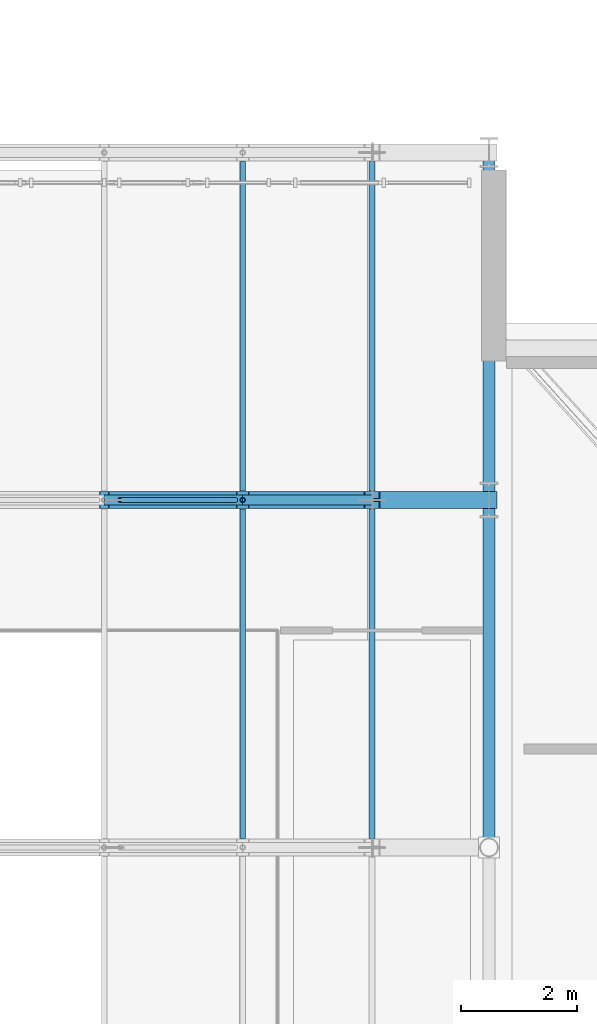
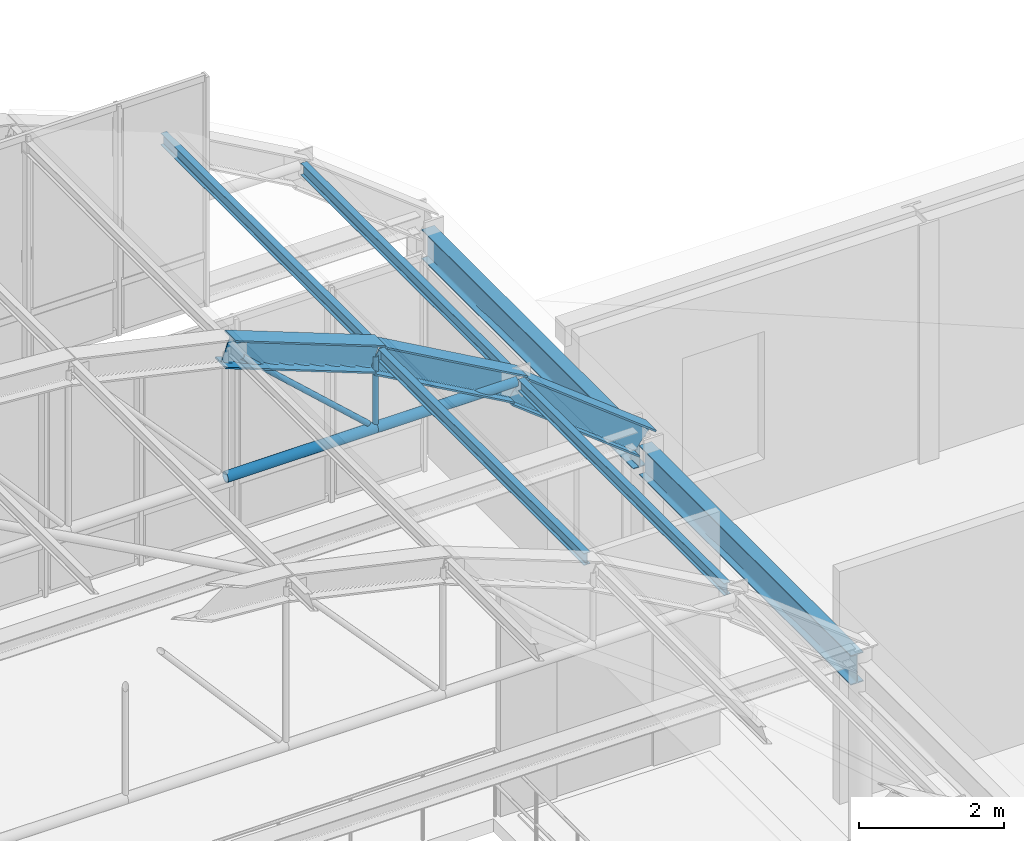
# One storey, part 82 of 148: 9 beams, 4 members.
"""IFC4 building model written with IfcOpenShell, lengths in metres."""

from ifc_helpers import new_model, si_unit, direction, frame, origin, origin_2d, place, context, subcontext, project, spatial, hollow_circle, i_section, extrude, material, material_profile, profile_set, type_object, element, save


model = new_model("IFC4")

# Units and contexts
model_context = context("Model", 3, precision=1e-05, world=origin(), true_north=direction((0.0, 1.0)))
body_context = subcontext(model_context, "Body", "Model", "MODEL_VIEW")
ifc_project = project(units=[si_unit("LENGTHUNIT", "METRE"), si_unit("AREAUNIT", "SQUARE_METRE"), si_unit("VOLUMEUNIT", "CUBIC_METRE"), si_unit("PLANEANGLEUNIT", "RADIAN"), si_unit("MASSUNIT", "GRAM", prefix="KILO"), si_unit("THERMODYNAMICTEMPERATUREUNIT", "KELVIN"), si_unit("POWERUNIT", "WATT")], contexts=[model_context])

# Site, building, storey
site_placement = place(None, origin())
site = spatial("IfcSite", under=ifc_project, at=site_placement, CompositionType="ELEMENT")
building_placement = place(site_placement, origin())
building = spatial("IfcBuilding", under=site, at=building_placement, Name="Solvatero Civic Police Headquarters", CompositionType="ELEMENT")
storey_placement = place(building_placement, frame((0.0, 0.0, 5.10009765625)))
storey = spatial("IfcBuildingStorey", under=building, at=storey_placement, Name="L01", CompositionType="ELEMENT", Elevation=5.10009765625)

# Beams
ifc_material = material(Name="Steel S355", Category="steel")
ifc_material_profile_1 = material_profile(ifc_material, i_section(OverallWidth=0.300048828125, OverallDepth=0.449951171875, WebThickness=0.013916015625, FlangeThickness=0.02587890625, FilletRadius=0.027099609375, at=origin_2d()), Name="HEB 450")
ifc_profile_set_1 = profile_set([ifc_material_profile_1], Name="Steel S355")
beam_type_1 = type_object("IfcBeamType", Name="BM-ST-HEB450", PredefinedType="BEAM", material=ifc_profile_set_1)
for number, where, z_axis, x_axis, name in (
    (1, (115.55517578125, 40.800048828125, 7.53955078125), (0.933355429458, 0.0, -0.358953537802), (0.0, 1.0, 0.0), "VLT1 Tied-Arch Vault Top Chord F7.8"),
    (2, (117.946533203125, 40.800048828125, 6.590087890625), (0.870765086908, 0.0, -0.491699261156), (0.0, 1.0, 0.0), "VLT1 Tied-Arch Vault Top Chord F7.9"),
    (3, (120.177490234375, 40.800048828125, 5.284912109375), (0.789403525995, 0.0, -0.613874639602), (0.0, 1.0, 0.0), "VLT1 Tied-Arch Vault Top Chord F7.10"),
):
    element("IfcBeam", number, at=place(storey_placement, frame(where, z_axis=z_axis, x_axis=x_axis)), inside=storey, type_object=beam_type_1, Name=name, PredefinedType="BEAM", context=body_context, shape_type="SweptSolid", body=[
        extrude(i_section(OverallWidth=0.300048828125, OverallDepth=0.449951171875, WebThickness=0.013916015625, FlangeThickness=0.02587890625, FilletRadius=0.027099609375, at=origin_2d()), origin(), (0.0, 0.0, 1.0), 2.56201171875),
    ])
ifc_material_profile_2 = material_profile(ifc_material, i_section(OverallWidth=0.10009765625, OverallDepth=0.199951171875, WebThickness=0.005615234375, FlangeThickness=0.008544921875, FilletRadius=0.011962890625, at=origin_2d()), Name="IPE 200")
ifc_profile_set_2 = profile_set([ifc_material_profile_2], Name="Steel S355")
beam_type_2 = type_object("IfcBeamType", Name="BM-ST-IPE200", PredefinedType="JOIST", material=ifc_profile_set_2)
for number, where, z_axis, x_axis, name in (
    (4, (117.946533203125, 34.9580078125, 6.721435546875), (0.0, 1.0, 0.0), (-1.0, 0.0, 0.0), "VLT1 Vault Roof Purlin B6.8"),
    (5, (120.177490234375, 34.9580078125, 5.4326171875), (0.0, 1.0, 0.0), (-1.0, 0.0, 0.0), "VLT1 Vault Roof Purlin B6.9"),
    (6, (117.946533203125, 40.9580078125, 6.721435546875), (0.0, 1.0, 0.0), (-1.0, 0.0, 0.0), "VLT1 Vault Roof Purlin B7.8"),
    (7, (120.177490234375, 40.9580078125, 5.4326171875), (0.0, 1.0, 0.0), (-1.0, 0.0, 0.0), "VLT1 Vault Roof Purlin B7.9"),
):
    element("IfcBeam", number, at=place(storey_placement, frame(where, z_axis=z_axis, x_axis=x_axis)), inside=storey, type_object=beam_type_2, Name=name, PredefinedType="JOIST", context=body_context, shape_type="SweptSolid", body=[
        extrude(i_section(OverallWidth=0.10009765625, OverallDepth=0.199951171875, WebThickness=0.005615234375, FlangeThickness=0.008544921875, FilletRadius=0.011962890625, at=origin_2d()), origin(), (0.0, 0.0, 1.0), 5.68408203125),
    ])
ifc_material_profile_3 = material_profile(ifc_material, i_section(OverallWidth=0.199951171875, OverallDepth=0.5, WebThickness=0.01025390625, FlangeThickness=0.01611328125, FilletRadius=0.02099609375, at=origin_2d()), Name="IPE 500")
ifc_profile_set_3 = profile_set([ifc_material_profile_3], Name="Steel S355")
beam_type_3 = type_object("IfcBeamType", Name="BM-ST-IPE500", PredefinedType="BEAM", material=ifc_profile_set_3)
for number, where, z_axis, x_axis, name in (
    (8, (122.199951171875, 34.8798828125, 3.429931640625), (0.0, 1.0, 0.0), (-1.0, 0.0, 0.0), "Primary girder BM-R2-VLT1-SPR-E-B6"),
    (9, (122.199951171875, 40.8798828125, 3.429931640625), (0.0, 1.0, 0.0), (-1.0, 0.0, 0.0), "Primary girder BM-R2-VLT1-SPR-E-B7"),
):
    element("IfcBeam", number, at=place(storey_placement, frame(where, z_axis=z_axis, x_axis=x_axis)), inside=storey, type_object=beam_type_3, Name=name, PredefinedType="BEAM", context=body_context, shape_type="SweptSolid", body=[
        extrude(i_section(OverallWidth=0.199951171875, OverallDepth=0.5, WebThickness=0.01025390625, FlangeThickness=0.01611328125, FilletRadius=0.02099609375, at=origin_2d()), origin(), (0.0, 0.0, 1.0), 5.840087890625),
    ])

# Members
ifc_material_profile_4 = material_profile(ifc_material, hollow_circle(Radius=0.04443359375, WallThickness=0.00634765625, at=origin_2d()), Name="CHS 88.9x6.3")
ifc_profile_set_4 = profile_set([ifc_material_profile_4], Name="Steel S355")
member_type_1 = type_object("IfcMemberType", Name="MB-HNG-CHS89", PredefinedType="STRUT", material=ifc_profile_set_4)
member_1_placement = place(storey_placement, frame((117.828125, 40.800048828125, 5.49951171875), z_axis=(-0.739076960519, 0.0, 0.673620996132), x_axis=(0.0, -1.0, 0.0)))
element("IfcMember", 10, at=member_1_placement, inside=storey, type_object=member_type_1, Name="VLT1 Vault Truss Diagonal Web F7.7", PredefinedType="STRUT", context=body_context, shape_type="SweptSolid", body=[
    extrude(hollow_circle(Radius=0.04443359375, WallThickness=0.00634765625, at=origin_2d()), origin(), (0.0, 0.0, 1.0), 2.71533203125),
])
member_2_placement = place(storey_placement, frame((117.946533203125, 40.800048828125, 5.431640625), z_axis=(0.0, 0.0, 1.0), x_axis=(1.0, 0.0, 0.0)))
element("IfcMember", 11, at=member_2_placement, inside=storey, type_object=member_type_1, Name="VLT1 Vault Vertical Hanger F7.8", PredefinedType="STRUT", context=body_context, shape_type="SweptSolid", body=[
    extrude(hollow_circle(Radius=0.04443359375, WallThickness=0.00634765625, at=origin_2d()), origin(), (0.0, 0.0, 1.0), 1.169677734375),
])
ifc_material_profile_5 = material_profile(ifc_material, hollow_circle(Radius=0.084228515625, WallThickness=0.010009765625, at=origin_2d()), Name="CHS 168.3x10.0")
ifc_profile_set_5 = profile_set([ifc_material_profile_5], Name="Steel S355")
member_type_2 = type_object("IfcMemberType", Name="MB-TIE-CHS168", PredefinedType="CHORD", material=ifc_profile_set_5)
member_3_placement = place(storey_placement, frame((115.55517578125, 40.800048828125, 5.3916015625), z_axis=(1.0, 0.0, 0.0), x_axis=(0.0, 1.0, 0.0)))
element("IfcMember", 12, at=member_3_placement, inside=storey, type_object=member_type_2, Name="VLT1 Vault Horizontal Tie Chord F7.7", PredefinedType="CHORD", context=body_context, shape_type="SweptSolid", body=[
    extrude(hollow_circle(Radius=0.084228515625, WallThickness=0.010009765625, at=origin_2d()), origin(), (0.0, 0.0, 1.0), 2.391357421875),
])
member_4_placement = place(storey_placement, frame((117.946533203125, 40.800048828125, 5.3916015625), z_axis=(1.0, 0.0, 0.0), x_axis=(0.0, 1.0, 0.0)))
element("IfcMember", 13, at=member_4_placement, inside=storey, type_object=member_type_2, Name="VLT1 Vault Horizontal Tie Chord F7.8", PredefinedType="CHORD", context=body_context, shape_type="SweptSolid", body=[
    extrude(hollow_circle(Radius=0.084228515625, WallThickness=0.010009765625, at=origin_2d()), origin(), (0.0, 0.0, 1.0), 2.23095703125),
])

save(model, "model.ifc")
